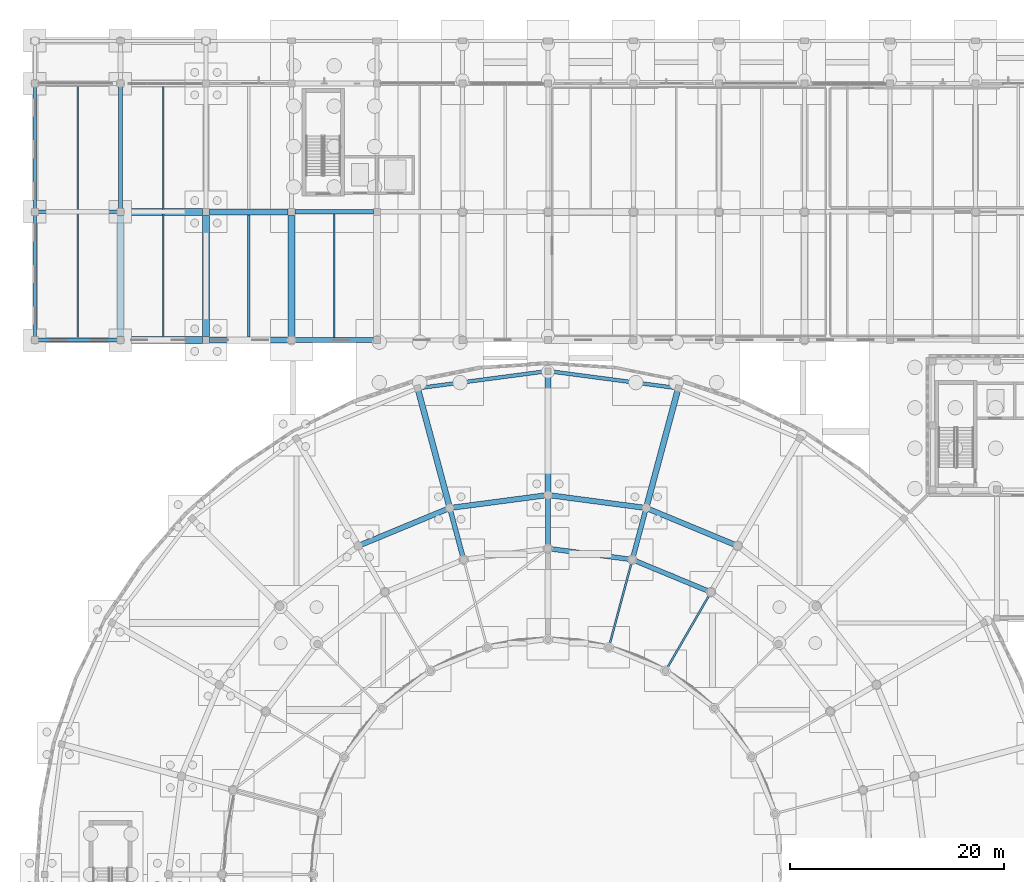
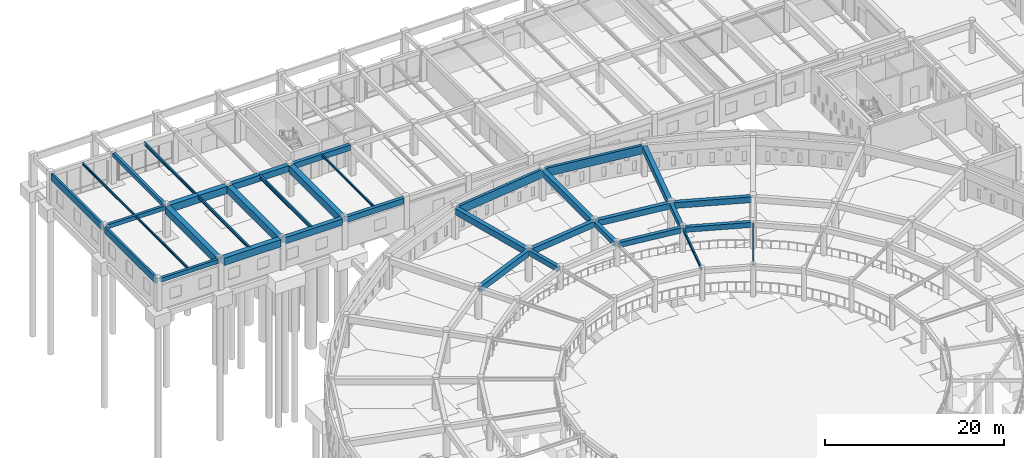
# One storey, part 27 of 84: 36 beams.
"""IFC4 building model written with IfcOpenShell, lengths in metres."""

from ifc_helpers import new_model, si_unit, direction, frame, origin, origin_2d, place, context, subcontext, project, spatial, rectangle, i_section, extrude, material, material_profile, profile_set, type_object, element, save


model = new_model("IFC4")

# Units and contexts
model_context = context("Model", 3, precision=1e-05, world=origin(), true_north=direction((0.0, 1.0)))
body_context = subcontext(model_context, "Body", "Model", "MODEL_VIEW")
ifc_project = project(units=[si_unit("LENGTHUNIT", "METRE"), si_unit("AREAUNIT", "SQUARE_METRE"), si_unit("VOLUMEUNIT", "CUBIC_METRE"), si_unit("PLANEANGLEUNIT", "RADIAN"), si_unit("MASSUNIT", "GRAM", prefix="KILO")], contexts=[model_context])

# Site, building, storey
site_placement = place(None, origin())
site = spatial("IfcSite", under=ifc_project, at=site_placement, CompositionType="ELEMENT")
building_placement = place(site_placement, origin())
building = spatial("IfcBuilding", under=site, at=building_placement, Name="Larkveld Mobility Hub", CompositionType="ELEMENT")
storey_placement = place(building_placement, origin())
storey = spatial("IfcBuildingStorey", under=building, at=storey_placement, Name="L00", CompositionType="ELEMENT", Elevation=0.0)

# Beams
ifc_material_1 = material(Name="Concrete C40/50", Category="concrete")
ifc_material_profile_1 = material_profile(ifc_material_1, rectangle(XDim=0.35009765625, YDim=0.550048828125, at=origin_2d()), Name="RC BM 350x550")
ifc_profile_set_1 = profile_set([ifc_material_profile_1], Name="Concrete C40/50")
beam_type_1 = type_object("IfcBeamType", Name="BM-RC3555", PredefinedType="BEAM", material=ifc_profile_set_1)
for number, where, z_axis, x_axis, name in (
    (1, (0.324951171875, 98.0, 3.985107421875), (1.0, 0.0, 0.0), (0.0, 1.0, 0.0), "Primary E-W Girder L00-0047"),
    (2, (0.324951171875, 110.0, 3.985107421875), (1.0, 0.0, 0.0), (0.0, 1.0, 0.0), "Primary E-W Girder L00-0067"),
):
    element("IfcBeam", number, at=place(storey_placement, frame(where, z_axis=z_axis, x_axis=x_axis)), inside=storey, type_object=beam_type_1, Name=name, PredefinedType="BEAM", context=body_context, shape_type="SweptSolid", body=[
        extrude(rectangle(XDim=0.35009765625, YDim=0.550048828125, at=origin_2d()), origin(), (0.0, 0.0, 1.0), 7.35009765625),
    ])
beam_1_placement = place(storey_placement, frame((8.0, 110.324951171875, 3.985107421875), z_axis=(0.0, 1.0, 0.0), x_axis=(-1.0, 0.0, 0.0)))
element("IfcBeam", 3, at=beam_1_placement, inside=storey, type_object=beam_type_1, Name="Primary N-S Girder L00-0119", PredefinedType="BEAM", context=body_context, shape_type="SweptSolid", body=[
    extrude(rectangle(XDim=0.35009765625, YDim=0.550048828125, at=origin_2d()), origin(), (0.0, 0.0, 1.0), 11.35009765625),
])
ifc_material_profile_2 = material_profile(ifc_material_1, rectangle(XDim=0.449951171875, YDim=0.699951171875, at=origin_2d()), Name="RC BM 450x700")
ifc_profile_set_2 = profile_set([ifc_material_profile_2], Name="Concrete C40/50")
beam_type_2 = type_object("IfcBeamType", Name="BM-RC4570", PredefinedType="BEAM", material=ifc_profile_set_2)
beam_2_placement = place(storey_placement, frame((55.9560546875, 77.693115234375, 3.885009765625), z_axis=(0.258886406125, 0.96590777444, 0.0), x_axis=(-0.96590777444, 0.258886406125, 0.0)))
element("IfcBeam", 4, at=beam_2_placement, inside=storey, type_object=beam_type_2, Name="Drum Radial Girder L00-1235", PredefinedType="BEAM", context=body_context, shape_type="SweptSolid", body=[
    extrude(rectangle(XDim=0.449951171875, YDim=0.699951171875, at=origin_2d()), origin(), (0.0, 0.0, 1.0), 4.51904296875),
])
beam_3_placement = place(storey_placement, frame((48.0, 78.739990234375, 3.885009765625), z_axis=(0.0, 1.0, 0.0), x_axis=(-1.0, 0.0, 0.0)))
element("IfcBeam", 5, at=beam_3_placement, inside=storey, type_object=beam_type_2, Name="Drum Radial Girder L00-1238", PredefinedType="BEAM", context=body_context, shape_type="SweptSolid", body=[
    extrude(rectangle(XDim=0.449951171875, YDim=0.699951171875, at=origin_2d()), origin(), (0.0, 0.0, 1.0), 4.52001953125),
])
beam_4_placement = place(storey_placement, frame((40.0439453125, 77.693115234375, 3.885009765625), z_axis=(-0.258886406125, 0.96590777444, 0.0), x_axis=(-0.96590777444, -0.258886406125, 0.0)))
element("IfcBeam", 6, at=beam_4_placement, inside=storey, type_object=beam_type_2, Name="Drum Radial Girder L00-1241", PredefinedType="BEAM", context=body_context, shape_type="SweptSolid", body=[
    extrude(rectangle(XDim=0.449951171875, YDim=0.699951171875, at=origin_2d()), origin(), (0.0, 0.0, 1.0), 4.51904296875),
])
beam_5_placement = place(storey_placement, frame((63.028076171875, 74.506103515625, 3.885009765625), z_axis=(-0.923893542605, 0.382649607255, 0.0), x_axis=(-0.382649607255, -0.923893542605, 0.0)))
element("IfcBeam", 7, at=beam_5_placement, inside=storey, type_object=beam_type_2, Name="Drum Chord Ring Beam L00-1306", PredefinedType="BEAM", context=body_context, shape_type="SweptSolid", body=[
    extrude(rectangle(XDim=0.449951171875, YDim=0.699951171875, at=origin_2d()), origin(), (0.0, 0.0, 1.0), 7.4814453125),
])
beam_6_placement = place(storey_placement, frame((55.656005859375, 77.491943359375, 3.885009765625), z_axis=(-0.991436961012, 0.1305861874, 0.0), x_axis=(-0.1305861874, -0.991436961012, 0.0)))
element("IfcBeam", 8, at=beam_6_placement, inside=storey, type_object=beam_type_2, Name="Drum Chord Ring Beam L00-1310", PredefinedType="BEAM", context=body_context, shape_type="SweptSolid", body=[
    extrude(rectangle(XDim=0.449951171875, YDim=0.699951171875, at=origin_2d()), origin(), (0.0, 0.0, 1.0), 7.48193359375),
])
ifc_material_profile_3 = material_profile(ifc_material_1, rectangle(XDim=0.449951171875, YDim=0.75, at=origin_2d()), Name="RC BM 450x750")
ifc_profile_set_3 = profile_set([ifc_material_profile_3], Name="Concrete C40/50")
beam_type_3 = type_object("IfcBeamType", Name="BM-RC4575", PredefinedType="BEAM", material=ifc_profile_set_3)
for number, where, z_axis, x_axis, name in (
    (9, (24.324951171875, 98.0, 3.885009765625), (1.0, 0.0, 0.0), (0.0, 1.0, 0.0), "Primary E-W Girder L00-0050"),
    (10, (24.324951171875, 110.0, 3.885009765625), (1.0, 0.0, 0.0), (0.0, 1.0, 0.0), "Primary E-W Girder L00-0070"),
):
    element("IfcBeam", number, at=place(storey_placement, frame(where, z_axis=z_axis, x_axis=x_axis)), inside=storey, type_object=beam_type_3, Name=name, PredefinedType="BEAM", context=body_context, shape_type="SweptSolid", body=[
        extrude(rectangle(XDim=0.449951171875, YDim=0.75, at=origin_2d()), origin(), (0.0, 0.0, 1.0), 7.35009765625),
    ])
ifc_material_profile_4 = material_profile(ifc_material_1, rectangle(XDim=0.5, YDim=0.800048828125, at=origin_2d()), Name="RC BM 500x800")
ifc_profile_set_4 = profile_set([ifc_material_profile_4], Name="Concrete C40/50")
beam_type_4 = type_object("IfcBeamType", Name="BM-RC5080", PredefinedType="BEAM", material=ifc_profile_set_4)
beam_7_placement = place(storey_placement, frame((65.528076171875, 78.8359375, 3.8349609375), z_axis=(-0.923903395556, 0.382625816799, 0.0), x_axis=(-0.382625816799, -0.923903395556, 0.0)))
element("IfcBeam", 11, at=beam_7_placement, inside=storey, type_object=beam_type_4, Name="Drum Chord Ring Beam L00-1307", PredefinedType="BEAM", context=body_context, shape_type="SweptSolid", body=[
    extrude(rectangle(XDim=0.5, YDim=0.800048828125, at=origin_2d()), origin(), (0.0, 0.0, 1.0), 8.786865234375),
])
for number, where, z_axis, x_axis, name in (
    (12, (56.949951171875, 82.321044921875, 3.8349609375), (-0.991430069478, 0.130638498674, 0.0), (-0.130638498674, -0.991430069478, 0.0), "Drum Chord Ring Beam L00-1311"),
    (13, (47.761962890625, 83.468994140625, 3.8349609375), (-0.991430069478, -0.130638498674, 0.0), (0.130638498674, -0.991430069478, 0.0), "Drum Chord Ring Beam L00-1315"),
):
    element("IfcBeam", number, at=place(storey_placement, frame(where, z_axis=z_axis, x_axis=x_axis)), inside=storey, type_object=beam_type_4, Name=name, PredefinedType="BEAM", context=body_context, shape_type="SweptSolid", body=[
        extrude(rectangle(XDim=0.5, YDim=0.800048828125, at=origin_2d()), origin(), (0.0, 0.0, 1.0), 8.787109375),
    ])
beam_8_placement = place(storey_placement, frame((38.590087890625, 82.197998046875, 3.8349609375), z_axis=(-0.923903395556, -0.382625816799, 0.0), x_axis=(0.382625816799, -0.923903395556, 0.0)))
element("IfcBeam", 14, at=beam_8_placement, inside=storey, type_object=beam_type_4, Name="Drum Chord Ring Beam L00-1319", PredefinedType="BEAM", context=body_context, shape_type="SweptSolid", body=[
    extrude(rectangle(XDim=0.5, YDim=0.800048828125, at=origin_2d()), origin(), (0.0, 0.0, 1.0), 8.786865234375),
])
ifc_material_profile_5 = material_profile(ifc_material_1, rectangle(XDim=0.550048828125, YDim=0.85009765625, at=origin_2d()), Name="RC BM 550x850")
ifc_profile_set_5 = profile_set([ifc_material_profile_5], Name="Concrete C40/50")
beam_type_5 = type_object("IfcBeamType", Name="BM-RC5585", PredefinedType="BEAM", material=ifc_profile_set_5)
for number, where, z_axis, x_axis, name in (
    (15, (16.324951171875, 98.0, 3.8349609375), (1.0, 0.0, 0.0), (0.0, 1.0, 0.0), "Primary E-W Girder L00-0049"),
    (16, (16.324951171875, 110.0, 3.8349609375), (1.0, 0.0, 0.0), (0.0, 1.0, 0.0), "Primary E-W Girder L00-0069"),
):
    element("IfcBeam", number, at=place(storey_placement, frame(where, z_axis=z_axis, x_axis=x_axis)), inside=storey, type_object=beam_type_5, Name=name, PredefinedType="BEAM", context=body_context, shape_type="SweptSolid", body=[
        extrude(rectangle(XDim=0.550048828125, YDim=0.85009765625, at=origin_2d()), origin(), (0.0, 0.0, 1.0), 7.35009765625),
    ])
beam_9_placement = place(storey_placement, frame((57.25, 82.52197265625, 3.81005859375), z_axis=(0.258810344821, 0.965928157481, 0.0), x_axis=(-0.965928157481, 0.258810344821, 0.0)))
element("IfcBeam", 17, at=beam_9_placement, inside=storey, type_object=beam_type_5, Name="Drum Radial Girder L00-1236", PredefinedType="BEAM", context=body_context, shape_type="SweptSolid", body=[
    extrude(rectangle(XDim=0.550048828125, YDim=0.85009765625, at=origin_2d()), origin(), (0.0, 0.0, 1.0), 11.119873046875),
])
beam_10_placement = place(storey_placement, frame((48.0, 83.739990234375, 3.81005859375), z_axis=(0.0, 1.0, 0.0), x_axis=(-1.0, 0.0, 0.0)))
element("IfcBeam", 18, at=beam_10_placement, inside=storey, type_object=beam_type_5, Name="Drum Radial Girder L00-1239", PredefinedType="BEAM", context=body_context, shape_type="SweptSolid", body=[
    extrude(rectangle(XDim=0.550048828125, YDim=0.85009765625, at=origin_2d()), origin(), (0.0, 0.0, 1.0), 11.1201171875),
])
beam_11_placement = place(storey_placement, frame((38.75, 82.52197265625, 3.81005859375), z_axis=(-0.258810344821, 0.965928157481, 0.0), x_axis=(-0.965928157481, -0.258810344821, 0.0)))
element("IfcBeam", 19, at=beam_11_placement, inside=storey, type_object=beam_type_5, Name="Drum Radial Girder L00-1242", PredefinedType="BEAM", context=body_context, shape_type="SweptSolid", body=[
    extrude(rectangle(XDim=0.550048828125, YDim=0.85009765625, at=origin_2d()), origin(), (0.0, 0.0, 1.0), 11.119873046875),
])
ifc_material_profile_6 = material_profile(ifc_material_1, rectangle(XDim=0.64990234375, YDim=1.0, at=origin_2d()), Name="RC BM 650x1000")
ifc_profile_set_6 = profile_set([ifc_material_profile_6], Name="Concrete C40/50")
beam_type_6 = type_object("IfcBeamType", Name="BM-RC65100", PredefinedType="BEAM", material=ifc_profile_set_6)
for number, where, z_axis, x_axis, name in (
    (20, (8.324951171875, 98.0, 3.760009765625), (1.0, 0.0, 0.0), (0.0, 1.0, 0.0), "Primary E-W Girder L00-0048"),
    (21, (8.324951171875, 110.0, 3.760009765625), (1.0, 0.0, 0.0), (0.0, 1.0, 0.0), "Primary E-W Girder L00-0068"),
):
    element("IfcBeam", number, at=place(storey_placement, frame(where, z_axis=z_axis, x_axis=x_axis)), inside=storey, type_object=beam_type_6, Name=name, PredefinedType="BEAM", context=body_context, shape_type="SweptSolid", body=[
        extrude(rectangle(XDim=0.64990234375, YDim=1.0, at=origin_2d()), origin(), (0.0, 0.0, 1.0), 7.35009765625),
    ])
for number, where, z_axis, x_axis, name in (
    (22, (8.0, 98.324951171875, 3.760009765625), (0.0, 1.0, 0.0), (-1.0, 0.0, 0.0), "Primary N-S Girder L00-0118"),
    (23, (16.0, 98.324951171875, 3.760009765625), (0.0, 1.0, 0.0), (-1.0, 0.0, 0.0), "Primary N-S Girder L00-0121"),
    (24, (24.0, 98.324951171875, 3.760009765625), (0.0, 1.0, 0.0), (-1.0, 0.0, 0.0), "Primary N-S Girder L00-0124"),
):
    element("IfcBeam", number, at=place(storey_placement, frame(where, z_axis=z_axis, x_axis=x_axis)), inside=storey, type_object=beam_type_6, Name=name, PredefinedType="BEAM", context=body_context, shape_type="SweptSolid", body=[
        extrude(rectangle(XDim=0.64990234375, YDim=1.0, at=origin_2d()), origin(), (0.0, 0.0, 1.0), 11.35009765625),
    ])
ifc_material_2 = material(Name="Precast concrete C50/60", Category="concrete")
ifc_material_profile_7 = material_profile(ifc_material_2, rectangle(XDim=0.280029296875, YDim=0.89990234375, at=origin_2d()), Name="PC SP 280x900")
ifc_profile_set_7 = profile_set([ifc_material_profile_7], Name="Precast concrete C50/60")
beam_type_7 = type_object("IfcBeamType", Name="BM-SP2890", PredefinedType="SPANDREL", material=ifc_profile_set_7)
for number, where, z_axis, x_axis, name in (
    (25, (0.0, 98.324951171875, 3.81005859375), (0.0, 1.0, 0.0), (-1.0, 0.0, 0.0), "Primary N-S Girder L00-0115"),
    (26, (0.0, 110.324951171875, 3.81005859375), (0.0, 1.0, 0.0), (-1.0, 0.0, 0.0), "Primary N-S Girder L00-0116"),
):
    element("IfcBeam", number, at=place(storey_placement, frame(where, z_axis=z_axis, x_axis=x_axis)), inside=storey, type_object=beam_type_7, Name=name, PredefinedType="SPANDREL", context=body_context, shape_type="SweptSolid", body=[
        extrude(rectangle(XDim=0.280029296875, YDim=0.89990234375, at=origin_2d()), origin(), (0.0, 0.0, 1.0), 11.35009765625),
    ])
ifc_material_profile_8 = material_profile(ifc_material_2, rectangle(XDim=0.35009765625, YDim=1.14990234375, at=origin_2d()), Name="PC SP 350x1150")
ifc_profile_set_8 = profile_set([ifc_material_profile_8], Name="Precast concrete C50/60")
beam_type_8 = type_object("IfcBeamType", Name="BM-SP35115", PredefinedType="SPANDREL", material=ifc_profile_set_8)
for number, where, z_axis, x_axis, name in (
    (27, (59.951904296875, 93.52587890625, 3.659912109375), (-0.991433323883, 0.130613798255, 0.0), (-0.130613798255, -0.991433323883, 0.0), "Drum Chord Ring Beam L00-1312"),
    (28, (47.761962890625, 95.069091796875, 3.659912109375), (-0.991433323883, -0.130613798255, 0.0), (0.130613798255, -0.991433323883, 0.0), "Drum Chord Ring Beam L00-1316"),
):
    element("IfcBeam", number, at=place(storey_placement, frame(where, z_axis=z_axis, x_axis=x_axis)), inside=storey, type_object=beam_type_8, Name=name, PredefinedType="SPANDREL", context=body_context, shape_type="SweptSolid", body=[
        extrude(rectangle(XDim=0.35009765625, YDim=1.14990234375, at=origin_2d()), origin(), (0.0, 0.0, 1.0), 11.815185546875),
    ])
ifc_material_3 = material(Name="Steel S355JR", Category="steel")
ifc_material_profile_9 = material_profile(ifc_material_3, i_section(OverallWidth=0.14990234375, OverallDepth=0.300048828125, WebThickness=0.007080078125, FlangeThickness=0.0107421875, FilletRadius=0.014892578125, at=origin_2d()), Name="IPE 300")
ifc_profile_set_9 = profile_set([ifc_material_profile_9], Name="Steel S355JR")
beam_type_9 = type_object("IfcBeamType", Name="BM-STIPE300", PredefinedType="BEAM", material=ifc_profile_set_9)
for number, where, z_axis, x_axis, name in (
    (29, (4.0, 98.169921875, 4.1201171875), (0.0, 1.0, 0.0), (-1.0, 0.0, 0.0), "Bicycle Hall Secondary Beam L00-1160"),
    (30, (4.0, 110.169921875, 4.1201171875), (0.0, 1.0, 0.0), (-1.0, 0.0, 0.0), "Bicycle Hall Secondary Beam L00-1161"),
    (31, (28.0, 98.169921875, 4.1201171875), (0.0, 1.0, 0.0), (-1.0, 0.0, 0.0), "Bicycle Hall Secondary Beam L00-1166"),
):
    element("IfcBeam", number, at=place(storey_placement, frame(where, z_axis=z_axis, x_axis=x_axis)), inside=storey, type_object=beam_type_9, Name=name, PredefinedType="BEAM", context=body_context, shape_type="SweptSolid", body=[
        extrude(i_section(OverallWidth=0.14990234375, OverallDepth=0.300048828125, WebThickness=0.007080078125, FlangeThickness=0.0107421875, FilletRadius=0.014892578125, at=origin_2d()), origin(), (0.0, 0.0, 1.0), 11.66015625),
    ])
ifc_material_profile_10 = material_profile(ifc_material_3, i_section(OverallWidth=0.179931640625, OverallDepth=0.39990234375, WebThickness=0.008544921875, FlangeThickness=0.013427734375, FilletRadius=0.02099609375, at=origin_2d()), Name="IPE 400")
ifc_profile_set_10 = profile_set([ifc_material_profile_10], Name="Steel S355JR")
beam_type_10 = type_object("IfcBeamType", Name="BM-STIPE400", PredefinedType="BEAM", material=ifc_profile_set_10)
for number, where, z_axis, x_axis, name in (
    (32, (12.0, 98.169921875, 4.070068359375), (0.0, 1.0, 0.0), (-1.0, 0.0, 0.0), "Bicycle Hall Secondary Beam L00-1162"),
    (33, (12.0, 110.169921875, 4.070068359375), (0.0, 1.0, 0.0), (-1.0, 0.0, 0.0), "Bicycle Hall Secondary Beam L00-1163"),
):
    element("IfcBeam", number, at=place(storey_placement, frame(where, z_axis=z_axis, x_axis=x_axis)), inside=storey, type_object=beam_type_10, Name=name, PredefinedType="BEAM", context=body_context, shape_type="SweptSolid", body=[
        extrude(i_section(OverallWidth=0.179931640625, OverallDepth=0.39990234375, WebThickness=0.008544921875, FlangeThickness=0.013427734375, FilletRadius=0.02099609375, at=origin_2d()), origin(), (0.0, 0.0, 1.0), 11.66015625),
    ])
beam_12_placement = place(storey_placement, frame((59.1201171875, 67.260986328125, 4.034912109375), z_axis=(0.50000266895, 0.86602386286, 0.0), x_axis=(-0.86602386286, 0.50000266895, 0.0)))
element("IfcBeam", 34, at=beam_12_placement, inside=storey, type_object=beam_type_10, Name="Drum Radial Girder L00-1231", PredefinedType="BEAM", context=body_context, shape_type="SweptSolid", body=[
    extrude(i_section(OverallWidth=0.179931640625, OverallDepth=0.39990234375, WebThickness=0.008544921875, FlangeThickness=0.013427734375, FilletRadius=0.02099609375, at=origin_2d()), origin(), (0.0, 0.0, 1.0), 8.01953125),
])
beam_13_placement = place(storey_placement, frame((53.756103515625, 69.48193359375, 4.034912109375), z_axis=(0.258831434294, 0.96592250653, 0.0), x_axis=(-0.96592250653, 0.258831434294, 0.0)))
element("IfcBeam", 35, at=beam_13_placement, inside=storey, type_object=beam_type_10, Name="Drum Radial Girder L00-1234", PredefinedType="BEAM", context=body_context, shape_type="SweptSolid", body=[
    extrude(i_section(OverallWidth=0.179931640625, OverallDepth=0.39990234375, WebThickness=0.008544921875, FlangeThickness=0.013427734375, FilletRadius=0.02099609375, at=origin_2d()), origin(), (0.0, 0.0, 1.0), 8.020263671875),
])
ifc_material_profile_11 = material_profile(ifc_material_3, i_section(OverallWidth=0.199951171875, OverallDepth=0.5, WebThickness=0.01025390625, FlangeThickness=0.01611328125, FilletRadius=0.02099609375, at=origin_2d()), Name="IPE 500")
ifc_profile_set_11 = profile_set([ifc_material_profile_11], Name="Steel S355JR")
beam_type_11 = type_object("IfcBeamType", Name="BM-STIPE500", PredefinedType="BEAM", material=ifc_profile_set_11)
beam_14_placement = place(storey_placement, frame((20.0, 98.169921875, 4.02001953125), z_axis=(0.0, 1.0, 0.0), x_axis=(-1.0, 0.0, 0.0)))
element("IfcBeam", 36, at=beam_14_placement, inside=storey, type_object=beam_type_11, Name="Bicycle Hall Secondary Beam L00-1164", PredefinedType="BEAM", context=body_context, shape_type="SweptSolid", body=[
    extrude(i_section(OverallWidth=0.199951171875, OverallDepth=0.5, WebThickness=0.01025390625, FlangeThickness=0.01611328125, FilletRadius=0.02099609375, at=origin_2d()), origin(), (0.0, 0.0, 1.0), 11.66015625),
])

save(model, "model.ifc")
